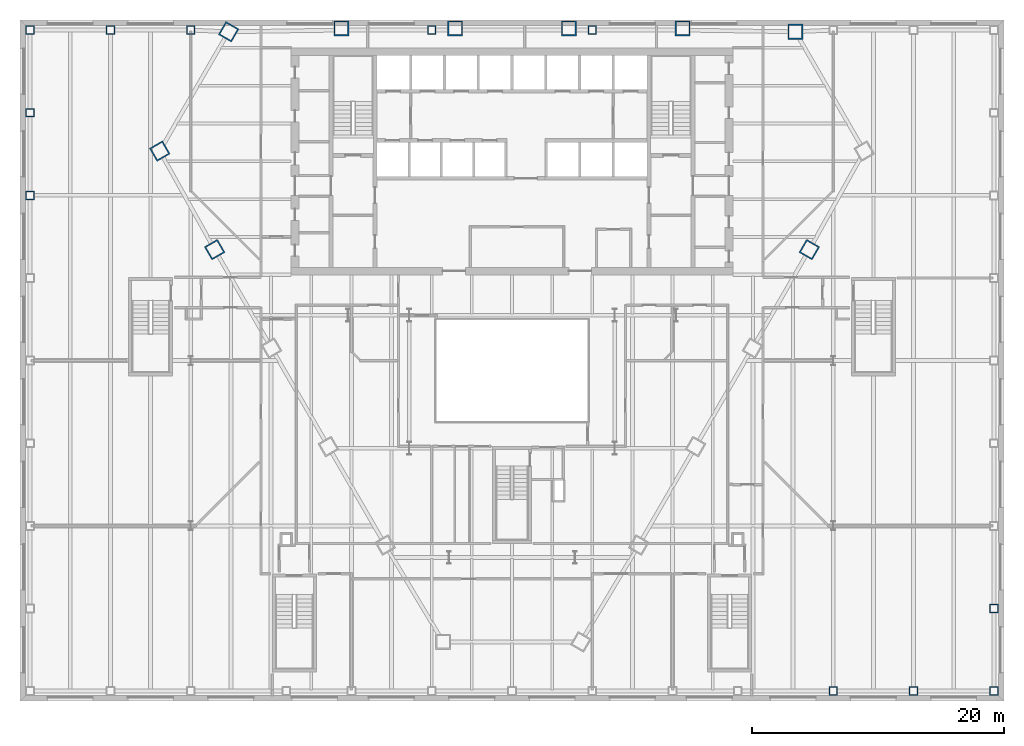
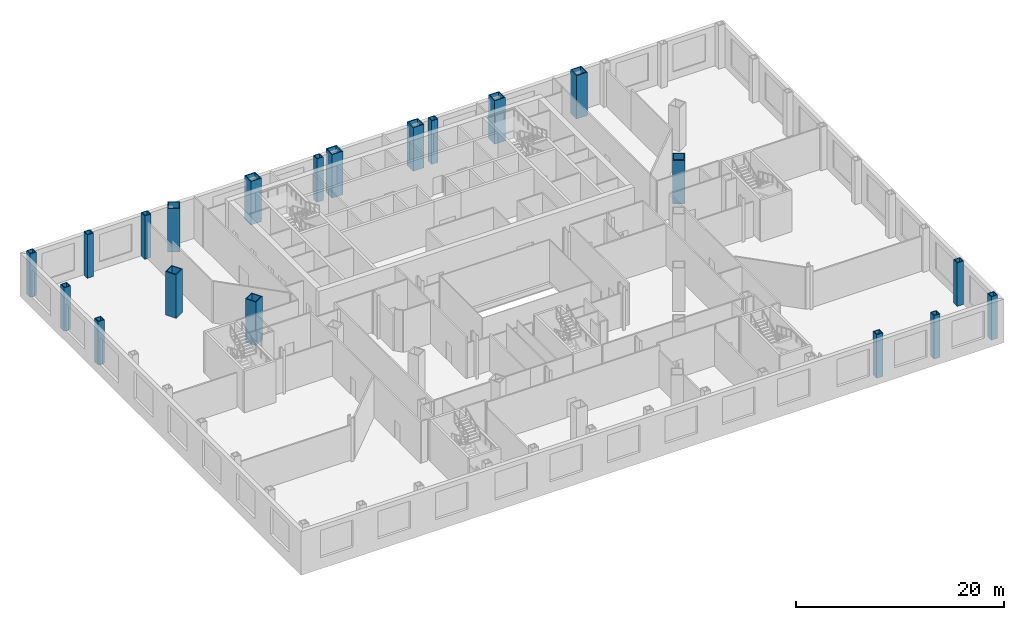
# One storey, part 2 of 20: 20 columns.
"""IFC4 building model written with IfcOpenShell, lengths in metres."""

from ifc_helpers import new_model, si_unit, direction, frame, origin, origin_2d, place, context, subcontext, project, spatial, hollow_rectangle, extrude, material, material_profile, profile_set, type_object, element, save


model = new_model("IFC4")

# Units and contexts
model_context = context("Model", 3, precision=1e-05, world=origin(), true_north=direction((0.0, 1.0)))
body_context = subcontext(model_context, "Body", "Model", "MODEL_VIEW")
ifc_project = project(units=[si_unit("LENGTHUNIT", "METRE"), si_unit("AREAUNIT", "SQUARE_METRE"), si_unit("VOLUMEUNIT", "CUBIC_METRE"), si_unit("PLANEANGLEUNIT", "RADIAN"), si_unit("MASSUNIT", "GRAM", prefix="KILO")], contexts=[model_context])

# Site, building, storey
site_placement = place(None, origin())
site = spatial("IfcSite", under=ifc_project, at=site_placement, CompositionType="ELEMENT")
building_placement = place(site_placement, origin())
building = spatial("IfcBuilding", under=site, at=building_placement, Name="Njiva Tower", CompositionType="ELEMENT")
storey_placement = place(building_placement, frame((0.0, 0.0, 18.6)))
storey = spatial("IfcBuildingStorey", under=building, at=storey_placement, Name="L03", CompositionType="ELEMENT", Elevation=18.6)

# Columns
ifc_material = material(Name="Steel S355 J2", Category="steel")
ifc_material_profile_1 = material_profile(ifc_material, hollow_rectangle(XDim=1.2, YDim=1.2, WallThickness=0.1, at=origin_2d()), Name="BOX 1200x1200x100")
ifc_profile_set_1 = profile_set([ifc_material_profile_1], Name="Steel S355 J2")
column_type_1 = type_object("IfcColumnType", Name="C1 Mega-column BOX 1200x1200x100", PredefinedType="COLUMN", material=ifc_profile_set_1)
for number, where, z_axis, x_axis, name in (
    (1, (22.461, 19.267, 0.0), (0.0, 0.0, 1.0), (-1.0, 0.0, 0.0), "Mega-column L03-C01"),
    (2, (13.523, 19.54, 0.0), (0.0, 0.0, 1.0), (-1.0, 0.0, 0.0), "Mega-column L03-C02"),
    (3, (4.508, 19.54, 0.0), (0.0, 0.0, 1.0), (-1.0, 0.0, 0.0), "Mega-column L03-C03"),
    (4, (-4.508, 19.54, 0.0), (0.0, 0.0, 1.0), (-1.0, 0.0, 0.0), "Mega-column L03-C04"),
    (5, (-13.523, 19.54, 0.0), (0.0, 0.0, 1.0), (-1.0, 0.0, 0.0), "Mega-column L03-C05"),
    (6, (-22.461, 19.267, 0.0), (0.0, 0.0, 1.0), (-0.5, -0.866025403784, 0.0), "Mega-column L03-C06"),
    (7, (-27.923, 9.808, 0.0), (0.0, 0.0, 1.0), (0.5, -0.866025403784, 0.0), "Mega-column L03-C07"),
    (8, (-23.569, 2.0, 0.0), (0.0, 0.0, 1.0), (0.5, -0.866025403784, 0.0), "Mega-column L03-C08"),
    (9, (23.569, 2.0, 0.0), (0.0, 0.0, 1.0), (0.5, 0.866025403784, 0.0), "Mega-column L03-C17"),
):
    element("IfcColumn", number, at=place(storey_placement, frame(where, z_axis=z_axis, x_axis=x_axis)), inside=storey, type_object=column_type_1, Name=name, PredefinedType="COLUMN", context=body_context, shape_type="SweptSolid", body=[
        extrude(hollow_rectangle(XDim=1.2, YDim=1.2, WallThickness=0.1, at=origin_2d()), origin(), (0.0, 0.0, 1.0), 5.1),
    ])
ifc_material_profile_2 = material_profile(ifc_material, hollow_rectangle(XDim=0.7, YDim=0.7, WallThickness=0.08, at=origin_2d()), Name="BOX 700x700x80")
ifc_profile_set_2 = profile_set([ifc_material_profile_2], Name="Steel S355 J2")
column_type_2 = type_object("IfcColumnType", Name="C3 Podium perimeter column BOX 700x700x80", PredefinedType="COLUMN", material=ifc_profile_set_2)
for number, where, z_axis, x_axis, name in (
    (10, (38.2, -33.0, 0.0), (0.0, 0.0, 1.0), (0.0, 1.0, 0.0), "Podium perimeter column L03-C27"),
    (11, (38.2, -26.45, 0.0), (0.0, 0.0, 1.0), (0.0, 1.0, 0.0), "Podium perimeter column L03-C28"),
    (12, (6.367, 19.4, 0.0), (0.0, 0.0, 1.0), (-1.0, 0.0, 0.0), "Podium perimeter column L03-C38"),
    (13, (-6.367, 19.4, 0.0), (0.0, 0.0, 1.0), (-1.0, 0.0, 0.0), "Podium perimeter column L03-C39"),
    (14, (-25.467, 19.4, 0.0), (0.0, 0.0, 1.0), (-1.0, 0.0, 0.0), "Podium perimeter column L03-C40"),
    (15, (-31.833, 19.4, 0.0), (0.0, 0.0, 1.0), (-1.0, 0.0, 0.0), "Podium perimeter column L03-C41"),
    (16, (-38.2, 19.4, 0.0), (0.0, 0.0, 1.0), (0.0, -1.0, 0.0), "Podium perimeter column L03-C42"),
    (17, (-38.2, 12.85, 0.0), (0.0, 0.0, 1.0), (0.0, -1.0, 0.0), "Podium perimeter column L03-C43"),
    (18, (-38.2, 6.3, 0.0), (0.0, 0.0, 1.0), (0.0, -1.0, 0.0), "Podium perimeter column L03-C44"),
    (19, (25.467, -33.0, 0.0), (0.0, 0.0, 1.0), (1.0, 0.0, 0.0), "Podium perimeter column L03-C60"),
    (20, (31.833, -33.0, 0.0), (0.0, 0.0, 1.0), (1.0, 0.0, 0.0), "Podium perimeter column L03-C61"),
):
    element("IfcColumn", number, at=place(storey_placement, frame(where, z_axis=z_axis, x_axis=x_axis)), inside=storey, type_object=column_type_2, Name=name, PredefinedType="COLUMN", context=body_context, shape_type="SweptSolid", body=[
        extrude(hollow_rectangle(XDim=0.7, YDim=0.7, WallThickness=0.08, at=origin_2d()), origin(), (0.0, 0.0, 1.0), 5.1),
    ])

save(model, "model.ifc")
